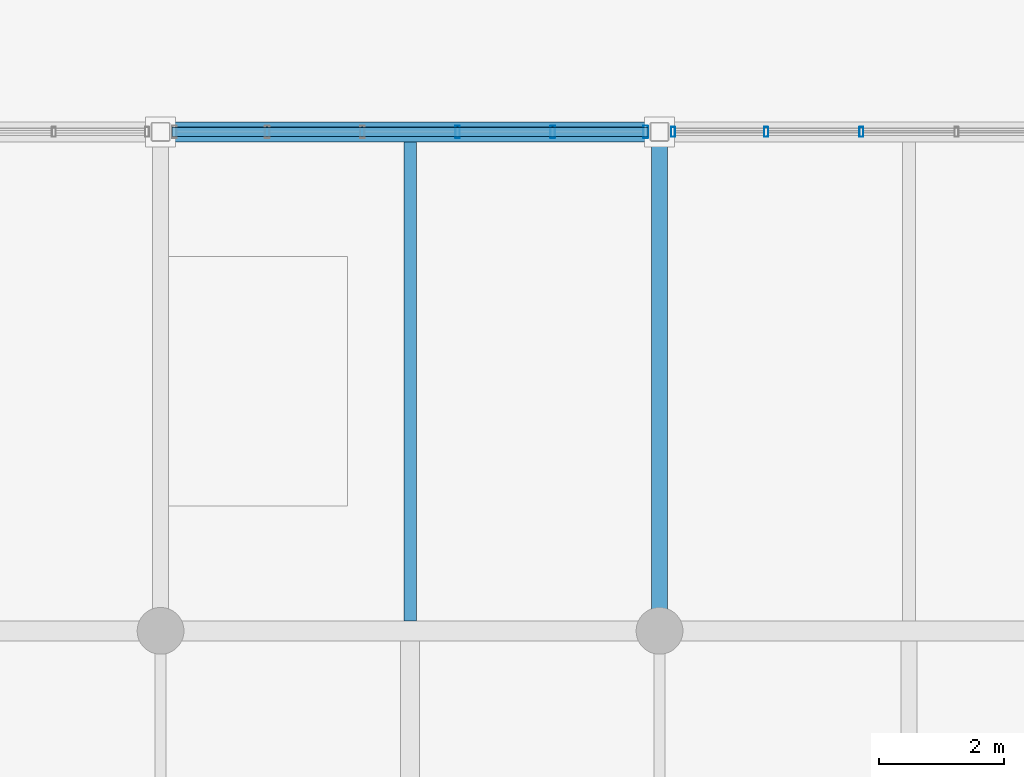
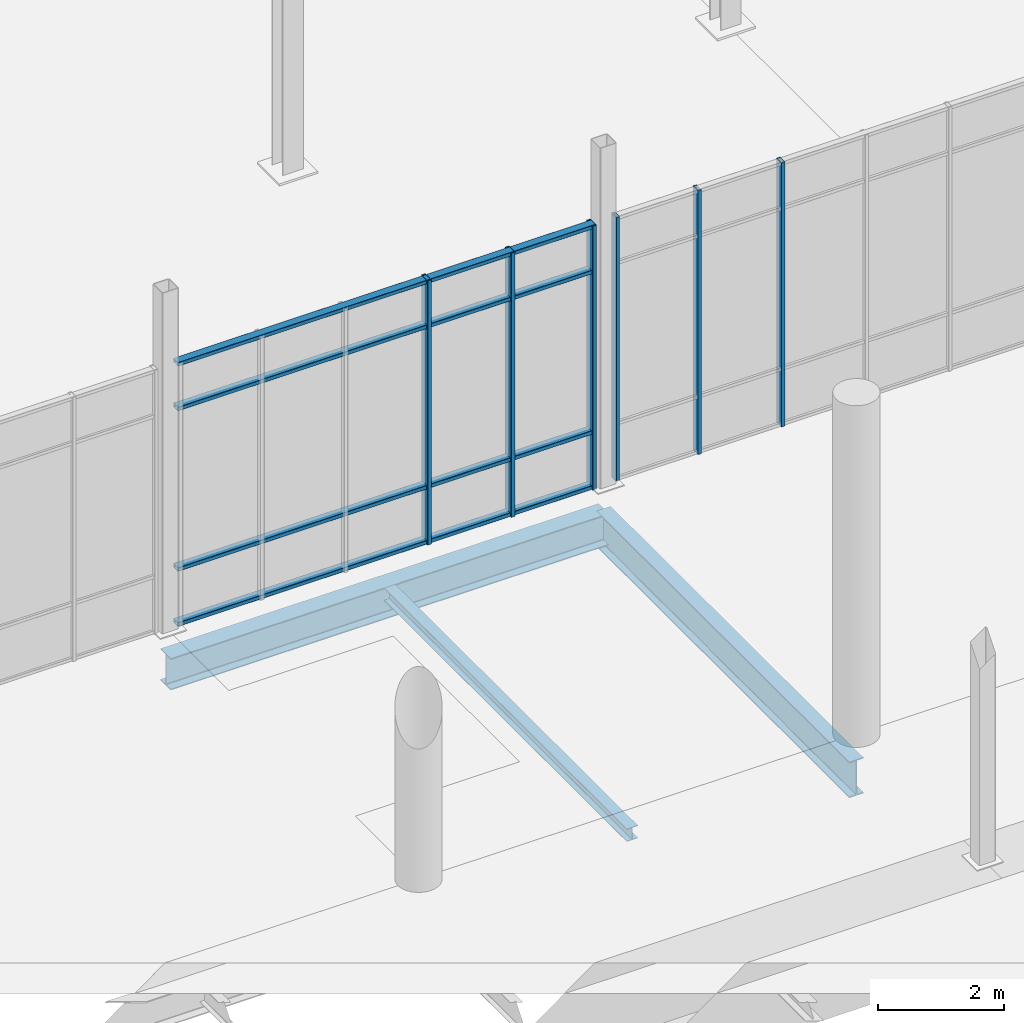
# One storey, part 40 of 140: 10 members, 3 beams, 2 elements without a shape of their own.
"""IFC4 building model written with IfcOpenShell, lengths in metres."""

from ifc_helpers import new_model, si_unit, direction, frame, origin, origin_2d, place, context, subcontext, project, spatial, hollow_rectangle, i_section, extrude, material, material_profile, profile_set, type_object, element, aggregate, save


model = new_model("IFC4")

# Units and contexts
model_context = context("Model", 3, precision=1e-05, world=origin(), true_north=direction((0.0, 1.0)))
body_context = subcontext(model_context, "Body", "Model", "MODEL_VIEW")
ifc_project = project(units=[si_unit("LENGTHUNIT", "METRE"), si_unit("AREAUNIT", "SQUARE_METRE"), si_unit("VOLUMEUNIT", "CUBIC_METRE"), si_unit("PLANEANGLEUNIT", "RADIAN"), si_unit("MASSUNIT", "GRAM", prefix="KILO")], contexts=[model_context])

# Site, building, storey
site_placement = place(None, origin())
site = spatial("IfcSite", under=ifc_project, at=site_placement, CompositionType="ELEMENT")
building_placement = place(site_placement, origin())
building = spatial("IfcBuilding", under=site, at=building_placement, Name="Verrall Gate Interchange", CompositionType="ELEMENT")
storey_placement = place(building_placement, origin())
storey = spatial("IfcBuildingStorey", under=building, at=storey_placement, Name="L01", CompositionType="ELEMENT", Elevation=0.0)

# Beams
ifc_material_1 = material(Name="Structural Steel CSA G40.21 350WT Cat 4", Category="steel")
ifc_material_profile_1 = material_profile(ifc_material_1, i_section(OverallWidth=0.256103515625, OverallDepth=0.693115234375, WebThickness=0.01318359375, FlangeThickness=0.02001953125, FilletRadius=0.01611328125, at=origin_2d()), Name="W690x170")
ifc_profile_set_1 = profile_set([ifc_material_profile_1], Name="Structural Steel CSA G40.21 350WT Cat 4")
beam_type_1 = type_object("IfcBeamType", Name="B-07 Structural Beam W690x170", PredefinedType="BEAM", material=ifc_profile_set_1)
beam_1_placement = place(storey_placement, frame((92.0, 48.0, -0.846435546875), z_axis=(0.0, 1.0, 0.0), x_axis=(-1.0, 0.0, 0.0)))
element("IfcBeam", 1, at=beam_1_placement, inside=storey, type_object=beam_type_1, Name="L01 Girder BM-L01-1156 (B-07)", PredefinedType="BEAM", context=body_context, shape_type="SweptSolid", body=[
    extrude(i_section(OverallWidth=0.256103515625, OverallDepth=0.693115234375, WebThickness=0.01318359375, FlangeThickness=0.02001953125, FilletRadius=0.01611328125, at=origin_2d()), origin(), (0.0, 0.0, 1.0), 8.0),
])
ifc_material_2 = material(Name="Structural Steel CSA G40.21 350WT Cat 4", Category="steel")
ifc_material_profile_2 = material_profile(ifc_material_2, i_section(OverallWidth=0.323974609375, OverallDepth=0.611083984375, WebThickness=0.0126953125, FlangeThickness=0.01904296875, FilletRadius=0.014892578125, at=origin_2d()), Name="W610x155")
ifc_profile_set_2 = profile_set([ifc_material_profile_2], Name="Structural Steel CSA G40.21 350WT Cat 4")
beam_type_2 = type_object("IfcBeamType", Name="B-08 Structural Beam W610x155", PredefinedType="BEAM", material=ifc_profile_set_2)
beam_2_placement = place(storey_placement, frame((84.0, 56.0, -0.805419921875), z_axis=(1.0, 0.0, 0.0), x_axis=(0.0, 1.0, 0.0)))
element("IfcBeam", 2, at=beam_2_placement, inside=storey, type_object=beam_type_2, Name="L01 Girder BM-L01-0945 (B-08)", PredefinedType="BEAM", context=body_context, shape_type="SweptSolid", body=[
    extrude(i_section(OverallWidth=0.323974609375, OverallDepth=0.611083984375, WebThickness=0.0126953125, FlangeThickness=0.01904296875, FilletRadius=0.014892578125, at=origin_2d()), origin(), (0.0, 0.0, 1.0), 8.0),
])

# Curtain wall, members
ifc_material_3 = material(Name="Thermally Broken Anodized Aluminium Curtain Wall Framing", Category="aluminium")
curtain_wall_type = type_object("IfcCurtainWallType", Name="CW-06 Unitized Curtain Wall 7631x5100", PredefinedType="NOTDEFINED", material=ifc_material_3)
curtain_wall_1_placement = place(storey_placement, origin())
curtain_wall_1 = element("IfcCurtainWall", 3, at=curtain_wall_1_placement, inside=storey, type_object=curtain_wall_type, Name="L01 Unitized Curtain Wall CW-L01-016", PredefinedType="NOTDEFINED")
ifc_material_4 = material(Name="Thermally Broken Anodized Aluminium Curtain Wall Framing", Category="aluminium")
ifc_material_profile_3 = material_profile(ifc_material_4, hollow_rectangle(XDim=0.06494140625, YDim=0.159912109375, WallThickness=0.00390625, InnerFilletRadius=0.00390625, OuterFilletRadius=0.008056640625, at=origin_2d()), Name="CWM160x65x4")
ifc_profile_set_3 = profile_set([ifc_material_profile_3], Name="Thermally Broken Anodized Aluminium Curtain Wall Framing")
member_type_1 = type_object("IfcMemberType", Name="CM-01 Curtain Mullion CWM160x65x4", PredefinedType="MULLION", material=ifc_profile_set_3)
member_1_placement = place(storey_placement, frame((95.23681640625, 56.0, 0.0), z_axis=(0.0, 0.0, 1.0), x_axis=(-1.0, 0.0, 0.0)))
member_1 = element("IfcMember", 4, at=member_1_placement, type_object=member_type_1, Name="CW-L01-016 Mullion 4", PredefinedType="MULLION", context=body_context, shape_type="SweptSolid", body=[
    extrude(hollow_rectangle(XDim=0.06494140625, YDim=0.159912109375, WallThickness=0.00390625, InnerFilletRadius=0.00390625, OuterFilletRadius=0.008056640625, at=origin_2d()), origin(), (0.0, 0.0, 1.0), 5.10009765625),
])
member_2_placement = place(storey_placement, frame((93.710693359375, 56.0, 0.0), z_axis=(0.0, 0.0, 1.0), x_axis=(-1.0, 0.0, 0.0)))
member_2 = element("IfcMember", 5, at=member_2_placement, type_object=member_type_1, Name="CW-L01-016 Mullion 5", PredefinedType="MULLION", context=body_context, shape_type="SweptSolid", body=[
    extrude(hollow_rectangle(XDim=0.06494140625, YDim=0.159912109375, WallThickness=0.00390625, InnerFilletRadius=0.00390625, OuterFilletRadius=0.008056640625, at=origin_2d()), origin(), (0.0, 0.0, 1.0), 5.10009765625),
])
member_3_placement = place(storey_placement, frame((92.217041015625, 56.0, 0.0), z_axis=(0.0, 0.0, 1.0), x_axis=(-1.0, 0.0, 0.0)))
member_3 = element("IfcMember", 6, at=member_3_placement, type_object=member_type_1, Name="CW-L01-016 Mullion 6", PredefinedType="MULLION", context=body_context, shape_type="SweptSolid", body=[
    extrude(hollow_rectangle(XDim=0.06494140625, YDim=0.159912109375, WallThickness=0.00390625, InnerFilletRadius=0.00390625, OuterFilletRadius=0.008056640625, at=origin_2d()), origin(), (0.0, 0.0, 1.0), 5.10009765625),
])
aggregate(curtain_wall_1, [member_1, member_2, member_3])

curtain_wall_2_placement = place(storey_placement, origin())
curtain_wall_2 = element("IfcCurtainWall", 7, at=curtain_wall_2_placement, inside=storey, type_object=curtain_wall_type, Name="L01 Unitized Curtain Wall CW-L01-017", PredefinedType="NOTDEFINED")
ifc_material_5 = material(Name="Thermally Broken Anodized Aluminium Curtain Wall Framing", Category="aluminium")
ifc_material_profile_4 = material_profile(ifc_material_5, hollow_rectangle(XDim=0.074951171875, YDim=0.199951171875, WallThickness=0.0048828125, InnerFilletRadius=0.0048828125, OuterFilletRadius=0.010009765625, at=origin_2d()), Name="CWM200x75x5")
ifc_profile_set_4 = profile_set([ifc_material_profile_4], Name="Thermally Broken Anodized Aluminium Curtain Wall Framing")
member_type_2 = type_object("IfcMemberType", Name="CM-02 Curtain Mullion CWM200x75x5", PredefinedType="MULLION", material=ifc_profile_set_4)
member_4_placement = place(storey_placement, frame((91.778076171875, 56.0, 0.0), z_axis=(0.0, 0.0, 1.0), x_axis=(-1.0, 0.0, 0.0)))
member_4 = element("IfcMember", 8, at=member_4_placement, type_object=member_type_2, Name="CW-L01-017 Mullion 1", PredefinedType="MULLION", context=body_context, shape_type="SweptSolid", body=[
    extrude(hollow_rectangle(XDim=0.074951171875, YDim=0.199951171875, WallThickness=0.0048828125, InnerFilletRadius=0.0048828125, OuterFilletRadius=0.010009765625, at=origin_2d()), origin(), (0.0, 0.0, 1.0), 5.10009765625),
])
member_5_placement = place(storey_placement, frame((90.289306640625, 56.0, 0.0), z_axis=(0.0, 0.0, 1.0), x_axis=(-1.0, 0.0, 0.0)))
member_5 = element("IfcMember", 9, at=member_5_placement, type_object=member_type_2, Name="CW-L01-017 Mullion 2", PredefinedType="MULLION", context=body_context, shape_type="SweptSolid", body=[
    extrude(hollow_rectangle(XDim=0.074951171875, YDim=0.199951171875, WallThickness=0.0048828125, InnerFilletRadius=0.0048828125, OuterFilletRadius=0.010009765625, at=origin_2d()), origin(), (0.0, 0.0, 1.0), 5.10009765625),
])
member_6_placement = place(storey_placement, frame((88.76318359375, 56.0, 0.0), z_axis=(0.0, 0.0, 1.0), x_axis=(-1.0, 0.0, 0.0)))
member_6 = element("IfcMember", 10, at=member_6_placement, type_object=member_type_2, Name="CW-L01-017 Mullion 3", PredefinedType="MULLION", context=body_context, shape_type="SweptSolid", body=[
    extrude(hollow_rectangle(XDim=0.074951171875, YDim=0.199951171875, WallThickness=0.0048828125, InnerFilletRadius=0.0048828125, OuterFilletRadius=0.010009765625, at=origin_2d()), origin(), (0.0, 0.0, 1.0), 5.10009765625),
])
ifc_material_6 = material(Name="Thermally Broken Anodized Aluminium Curtain Wall Framing", Category="aluminium")
ifc_material_profile_5 = material_profile(ifc_material_6, hollow_rectangle(XDim=0.14990234375, YDim=0.074951171875, WallThickness=0.00439453125, InnerFilletRadius=0.00439453125, OuterFilletRadius=0.009033203125, at=origin_2d()), Name="CWT150x75x4.5")
ifc_profile_set_5 = profile_set([ifc_material_profile_5], Name="Thermally Broken Anodized Aluminium Curtain Wall Framing")
member_type_3 = type_object("IfcMemberType", Name="CT-02 Curtain Transom CWT150x75x4.5", PredefinedType="USERDEFINED", material=ifc_profile_set_5)
member_7_placement = place(storey_placement, frame((91.8154296875, 56.0, 0.03759765625), z_axis=(-1.0, 0.0, 0.0), x_axis=(0.0, -1.0, 0.0)))
member_7 = element("IfcMember", 11, at=member_7_placement, type_object=member_type_3, Name="CW-L01-017 Transom 1", ObjectType="TRANSOM", PredefinedType="USERDEFINED", context=body_context, shape_type="SweptSolid", body=[
    extrude(hollow_rectangle(XDim=0.14990234375, YDim=0.074951171875, WallThickness=0.00439453125, InnerFilletRadius=0.00439453125, OuterFilletRadius=0.009033203125, at=origin_2d()), origin(), (0.0, 0.0, 1.0), 7.630859375),
])
member_8_placement = place(storey_placement, frame((91.8154296875, 56.0, 1.10009765625), z_axis=(-1.0, 0.0, 0.0), x_axis=(0.0, -1.0, 0.0)))
member_8 = element("IfcMember", 12, at=member_8_placement, type_object=member_type_3, Name="CW-L01-017 Transom 2", ObjectType="TRANSOM", PredefinedType="USERDEFINED", context=body_context, shape_type="SweptSolid", body=[
    extrude(hollow_rectangle(XDim=0.14990234375, YDim=0.074951171875, WallThickness=0.00439453125, InnerFilletRadius=0.00439453125, OuterFilletRadius=0.009033203125, at=origin_2d()), origin(), (0.0, 0.0, 1.0), 7.630859375),
])
member_9_placement = place(storey_placement, frame((91.8154296875, 56.0, 4.199951171875), z_axis=(-1.0, 0.0, 0.0), x_axis=(0.0, -1.0, 0.0)))
member_9 = element("IfcMember", 13, at=member_9_placement, type_object=member_type_3, Name="CW-L01-017 Transom 3", ObjectType="TRANSOM", PredefinedType="USERDEFINED", context=body_context, shape_type="SweptSolid", body=[
    extrude(hollow_rectangle(XDim=0.14990234375, YDim=0.074951171875, WallThickness=0.00439453125, InnerFilletRadius=0.00439453125, OuterFilletRadius=0.009033203125, at=origin_2d()), origin(), (0.0, 0.0, 1.0), 7.630859375),
])
member_10_placement = place(storey_placement, frame((91.8154296875, 56.0, 5.0625), z_axis=(-1.0, 0.0, 0.0), x_axis=(0.0, -1.0, 0.0)))
member_10 = element("IfcMember", 14, at=member_10_placement, type_object=member_type_3, Name="CW-L01-017 Transom 4", ObjectType="TRANSOM", PredefinedType="USERDEFINED", context=body_context, shape_type="SweptSolid", body=[
    extrude(hollow_rectangle(XDim=0.14990234375, YDim=0.074951171875, WallThickness=0.00439453125, InnerFilletRadius=0.00439453125, OuterFilletRadius=0.009033203125, at=origin_2d()), origin(), (0.0, 0.0, 1.0), 7.630859375),
])
aggregate(curtain_wall_2, [member_4, member_5, member_6, member_7, member_8, member_9, member_10])

# Beam
ifc_material_7 = material(Name="Structural Steel CSA G40.21 350W", Category="steel")
ifc_material_profile_6 = material_profile(ifc_material_7, i_section(OverallWidth=0.201904296875, OverallDepth=0.2470703125, WebThickness=0.00732421875, FlangeThickness=0.010986328125, FilletRadius=0.010986328125, at=origin_2d()), Name="W250x49")
ifc_profile_set_6 = profile_set([ifc_material_profile_6], Name="Structural Steel CSA G40.21 350W")
beam_type_3 = type_object("IfcBeamType", Name="J-06 Floor Joist W250x49", PredefinedType="JOIST", material=ifc_profile_set_6)
beam_3_placement = place(storey_placement, frame((88.0, 48.162109375, -0.62353515625), z_axis=(0.0, 1.0, 0.0), x_axis=(-1.0, 0.0, 0.0)))
element("IfcBeam", 15, at=beam_3_placement, inside=storey, type_object=beam_type_3, Name="L01 Secondary Floor Joist JST-L01-1409", PredefinedType="JOIST", context=body_context, shape_type="SweptSolid", body=[
    extrude(i_section(OverallWidth=0.201904296875, OverallDepth=0.2470703125, WebThickness=0.00732421875, FlangeThickness=0.010986328125, FilletRadius=0.010986328125, at=origin_2d()), origin(), (0.0, 0.0, 1.0), 7.67578125),
])

save(model, "model.ifc")
